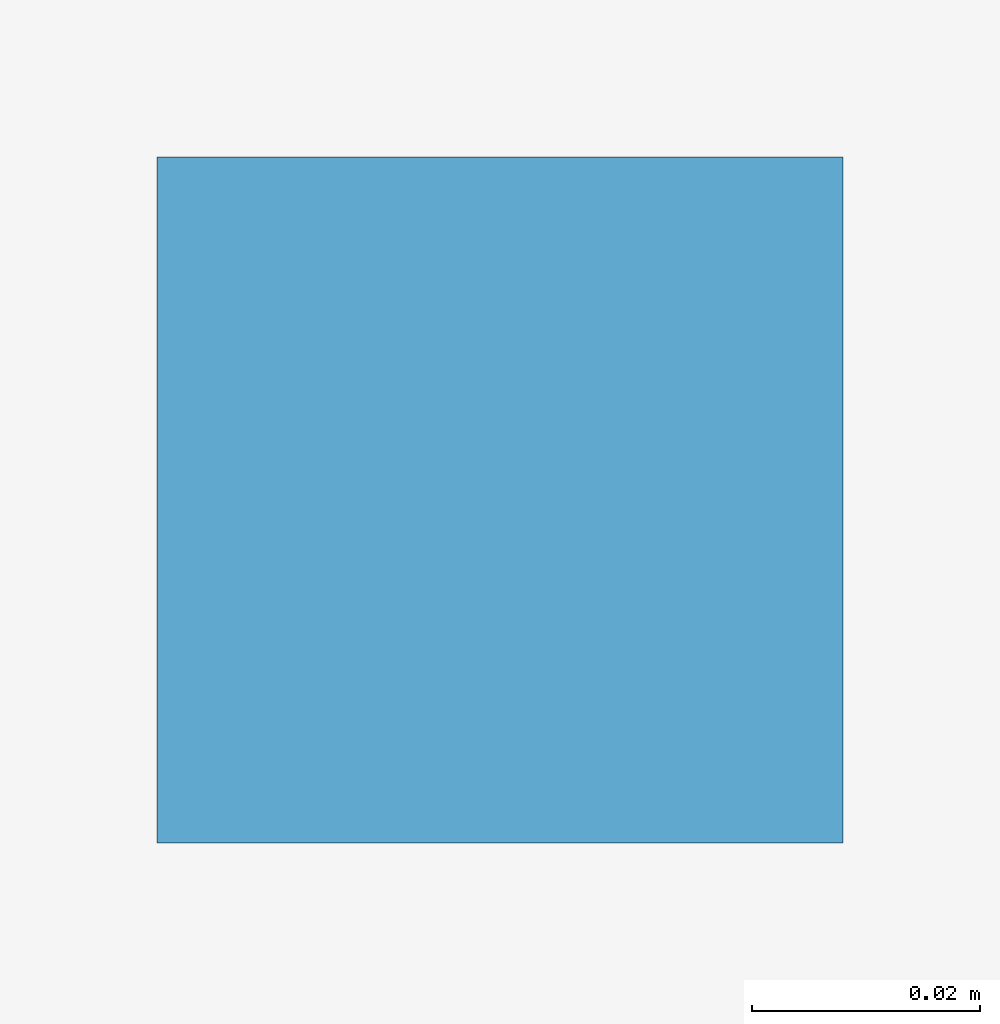
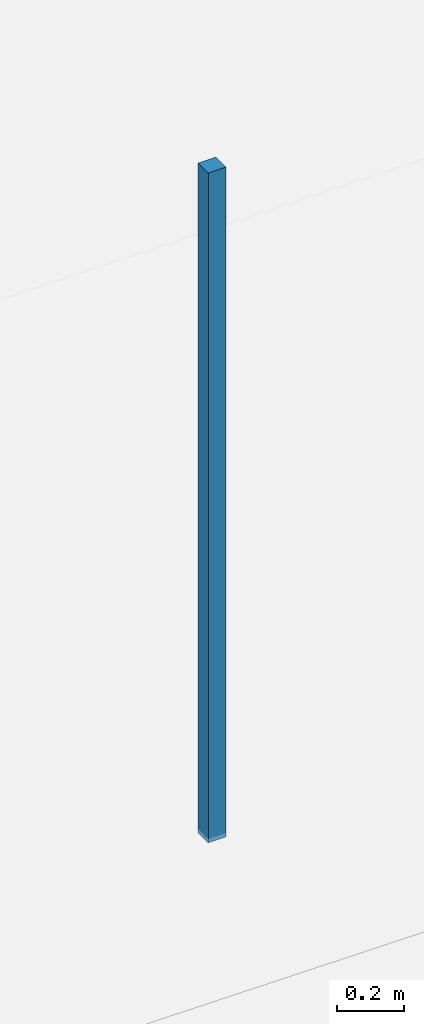
# One storey, part 78 of 90: 1 discrete accessory.
"""IFC4 building model written with IfcOpenShell, lengths in metres."""

from ifc_helpers import new_model, si_unit, direction, frame, origin, origin_2d, place, context, subcontext, project, spatial, rectangle, extrude, material, type_object, element, save


model = new_model("IFC4")

# Units and contexts
model_context = context("Model", 3, precision=1e-05, world=origin(), true_north=direction((0.0, 1.0)))
body_context = subcontext(model_context, "Body", "Model", "MODEL_VIEW")
ifc_project = project(units=[si_unit("LENGTHUNIT", "METRE"), si_unit("AREAUNIT", "SQUARE_METRE"), si_unit("VOLUMEUNIT", "CUBIC_METRE"), si_unit("PLANEANGLEUNIT", "RADIAN"), si_unit("MASSUNIT", "GRAM", prefix="KILO")], contexts=[model_context])

# Site, building, storey
site_placement = place(None, origin())
site = spatial("IfcSite", under=ifc_project, at=site_placement, CompositionType="ELEMENT")
building_placement = place(site_placement, origin())
building = spatial("IfcBuilding", under=site, at=building_placement, Name="Kangsadwip Square Police Headquarters", CompositionType="ELEMENT")
storey_placement = place(building_placement, origin())
storey = spatial("IfcBuildingStorey", under=building, at=storey_placement, Name="L00", CompositionType="ELEMENT", Elevation=0.0)

# Discrete accessory
ifc_material = material(Name="Structural steel IS 2062 E350 (Grade 350, 350 MPa)", Category="steel")
discrete_accessory_type = type_object("IfcDiscreteAccessoryType", Name="VeilOutriggerBracket", PredefinedType="BRACKET", material=ifc_material)
discrete_accessory_placement = place(storey_placement, frame((118.800048828125, 104.39990234375, 2.81005859375), z_axis=(0.0, 0.0, 1.0), x_axis=(1.0, 0.0, 0.0)))
element("IfcDiscreteAccessory", 1, at=discrete_accessory_placement, inside=storey, type_object=discrete_accessory_type, Name="Ceiling Suspension Hanger L00-008", PredefinedType="BRACKET", context=body_context, shape_type="SweptSolid", body=[
    extrude(rectangle(XDim=0.06005859375, YDim=0.06005859375, at=origin_2d()), origin(), (0.0, 0.0, 1.0), 2.429931640625),
])

save(model, "model.ifc")
